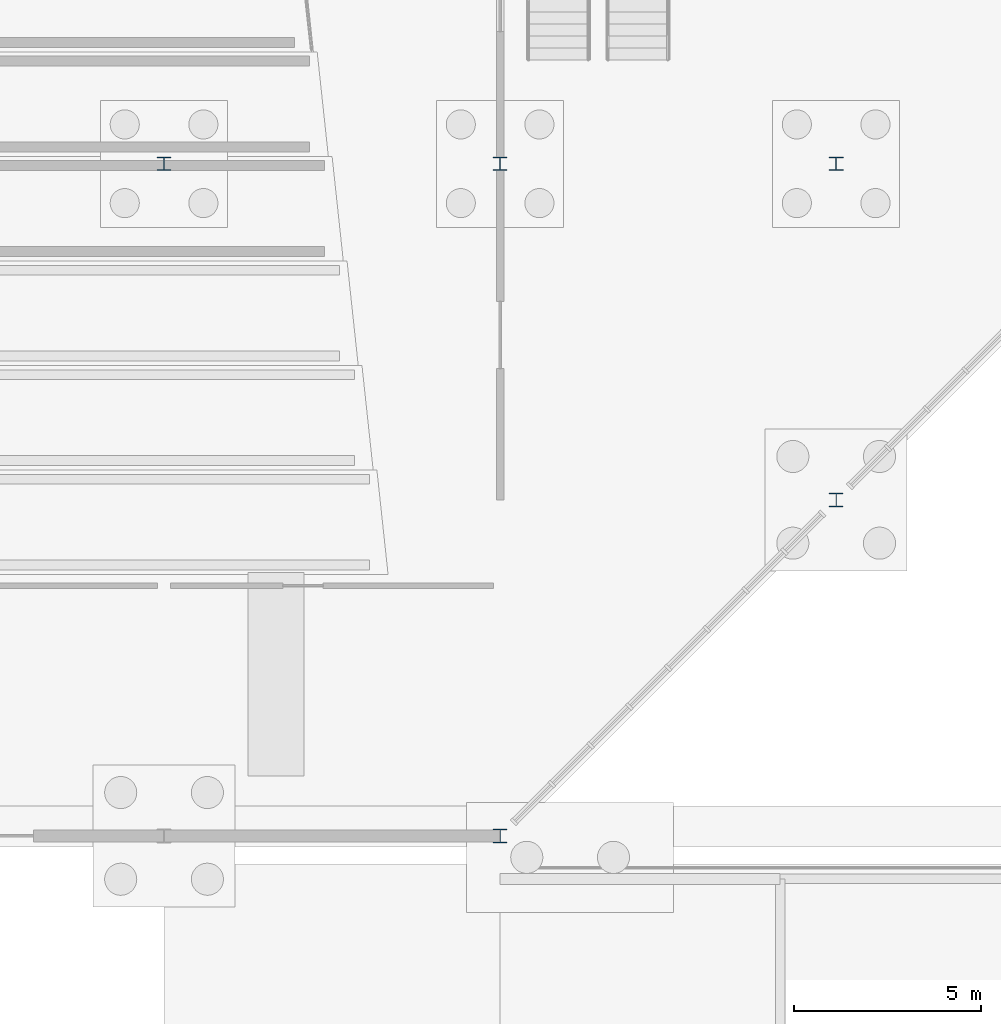
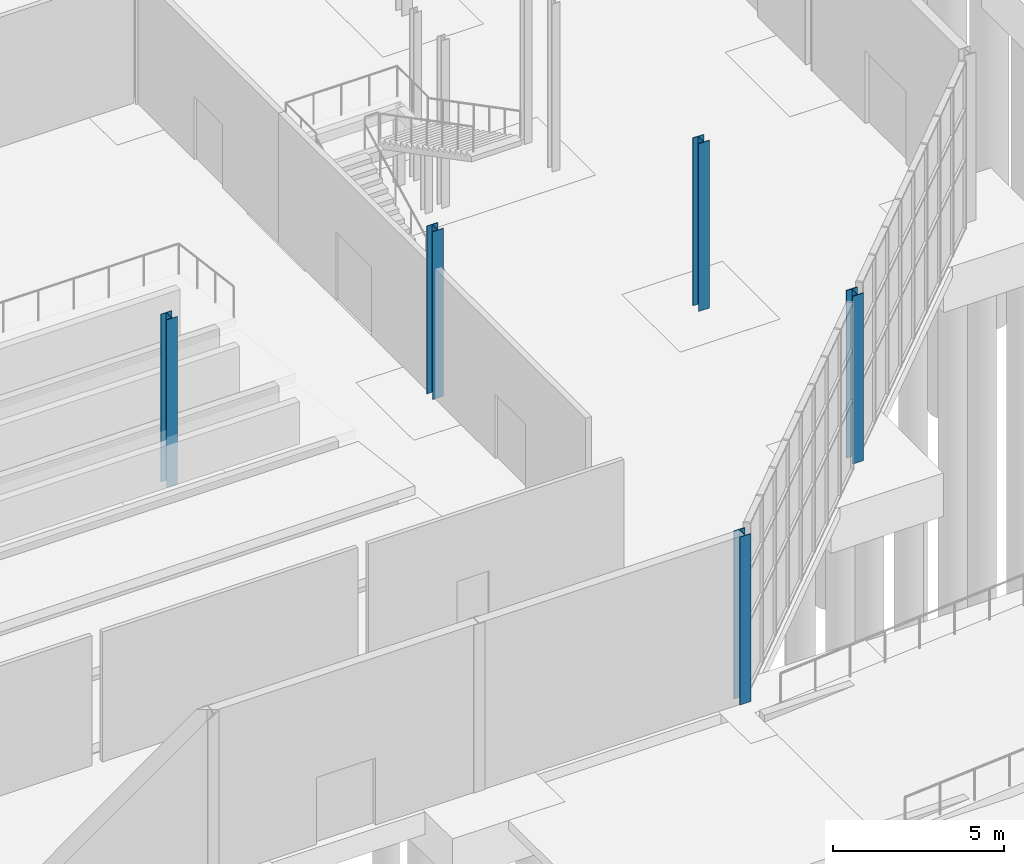
# One storey, part 10 of 131: 5 columns.
"""IFC4 building model written with IfcOpenShell, lengths in metres."""

from ifc_helpers import new_model, si_unit, direction, frame, origin, origin_2d, place, context, subcontext, project, spatial, i_section, extrude, material, material_profile, profile_set, type_object, element, save


model = new_model("IFC4")

# Units and contexts
model_context = context("Model", 3, precision=1e-05, world=origin(), true_north=direction((0.0, 1.0)))
body_context = subcontext(model_context, "Body", "Model", "MODEL_VIEW")
ifc_project = project(units=[si_unit("LENGTHUNIT", "METRE"), si_unit("AREAUNIT", "SQUARE_METRE"), si_unit("VOLUMEUNIT", "CUBIC_METRE"), si_unit("PLANEANGLEUNIT", "RADIAN"), si_unit("MASSUNIT", "GRAM", prefix="KILO")], contexts=[model_context])

# Site, building, storey
site_placement = place(None, origin())
site = spatial("IfcSite", under=ifc_project, at=site_placement, CompositionType="ELEMENT")
building_placement = place(site_placement, origin())
building = spatial("IfcBuilding", under=site, at=building_placement, Name="Cazmaro Siding Exhibition Halls", CompositionType="ELEMENT")
storey_placement = place(building_placement, origin())
storey = spatial("IfcBuildingStorey", under=building, at=storey_placement, Name="L00", CompositionType="ELEMENT", Elevation=0.0)

# Columns
ifc_material_1 = material(Name="Steel ASTM A992 Grade 50", Category="steel")
ifc_material_profile_1 = material_profile(ifc_material_1, i_section(OverallWidth=0.373046875, OverallDepth=0.373046875, WebThickness=0.01611328125, FlangeThickness=0.02587890625, at=origin_2d()), Name="W14X132")
ifc_profile_set_1 = profile_set([ifc_material_profile_1], Name="Steel ASTM A992 Grade 50")
column_type_1 = type_object("IfcColumnType", Name="C-04", PredefinedType="COLUMN", material=ifc_profile_set_1)
for number, where, z_axis, x_axis, name in (
    (1, (45.0, 9.0, 0.0), (0.0, 0.0, 1.0), (1.0, 0.0, 0.0), "Column C-04 COL-0808"),
    (2, (54.0, 18.0, 0.0), (0.0, 0.0, 1.0), (1.0, 0.0, 0.0), "Column C-04 COL-0811"),
):
    element("IfcColumn", number, at=place(storey_placement, frame(where, z_axis=z_axis, x_axis=x_axis)), inside=storey, type_object=column_type_1, Name=name, PredefinedType="COLUMN", context=body_context, shape_type="SweptSolid", body=[
        extrude(i_section(OverallWidth=0.373046875, OverallDepth=0.373046875, WebThickness=0.01611328125, FlangeThickness=0.02587890625, at=origin_2d()), origin(), (0.0, 0.0, 1.0), 6.0),
    ])
ifc_material_2 = material(Name="Steel ASTM A992 Grade 50", Category="steel")
ifc_material_profile_2 = material_profile(ifc_material_2, i_section(OverallWidth=0.367919921875, OverallDepth=0.35595703125, WebThickness=0.010986328125, FlangeThickness=0.01806640625, at=origin_2d()), Name="W14X90")
ifc_profile_set_2 = profile_set([ifc_material_profile_2], Name="Steel ASTM A992 Grade 50")
column_type_2 = type_object("IfcColumnType", Name="C-05", PredefinedType="COLUMN", material=ifc_profile_set_2)
for number, where, z_axis, x_axis, name in (
    (3, (36.0, 27.0, 0.0), (0.0, 0.0, 1.0), (1.0, 0.0, 0.0), "Column C-05 COL-0871"),
    (4, (45.0, 27.0, 0.0), (0.0, 0.0, 1.0), (1.0, 0.0, 0.0), "Column C-05 COL-0875"),
    (5, (54.0, 27.0, 0.0), (0.0, 0.0, 1.0), (1.0, 0.0, 0.0), "Column C-05 COL-0879"),
):
    element("IfcColumn", number, at=place(storey_placement, frame(where, z_axis=z_axis, x_axis=x_axis)), inside=storey, type_object=column_type_2, Name=name, PredefinedType="COLUMN", context=body_context, shape_type="SweptSolid", body=[
        extrude(i_section(OverallWidth=0.367919921875, OverallDepth=0.35595703125, WebThickness=0.010986328125, FlangeThickness=0.01806640625, at=origin_2d()), origin(), (0.0, 0.0, 1.0), 6.0),
    ])

save(model, "model.ifc")
